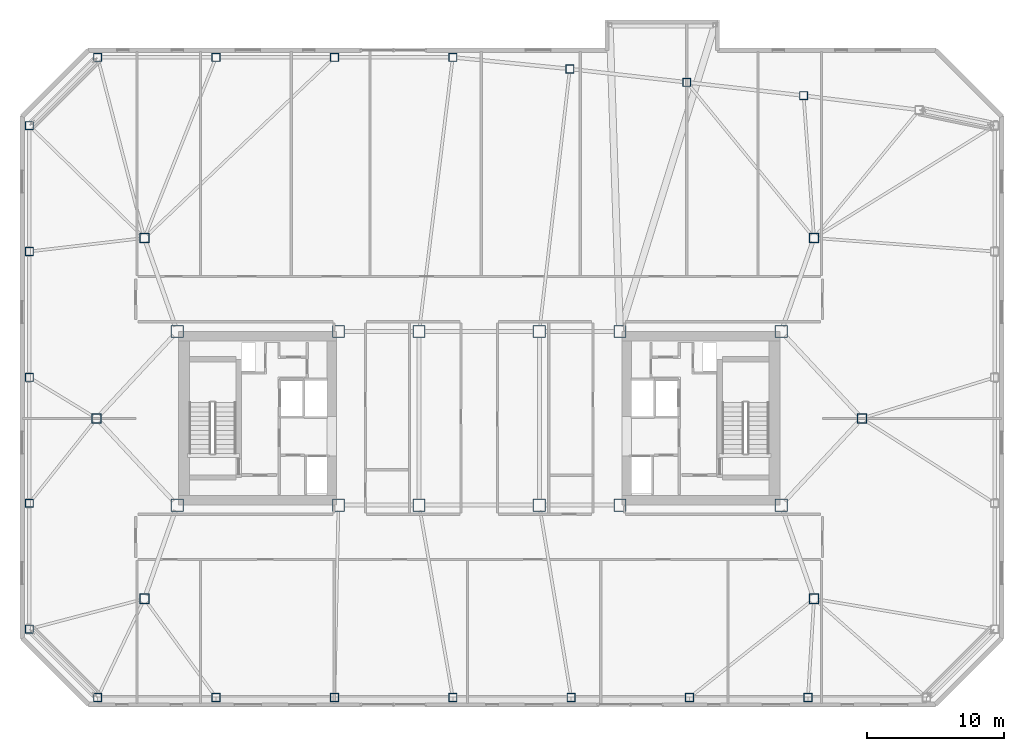
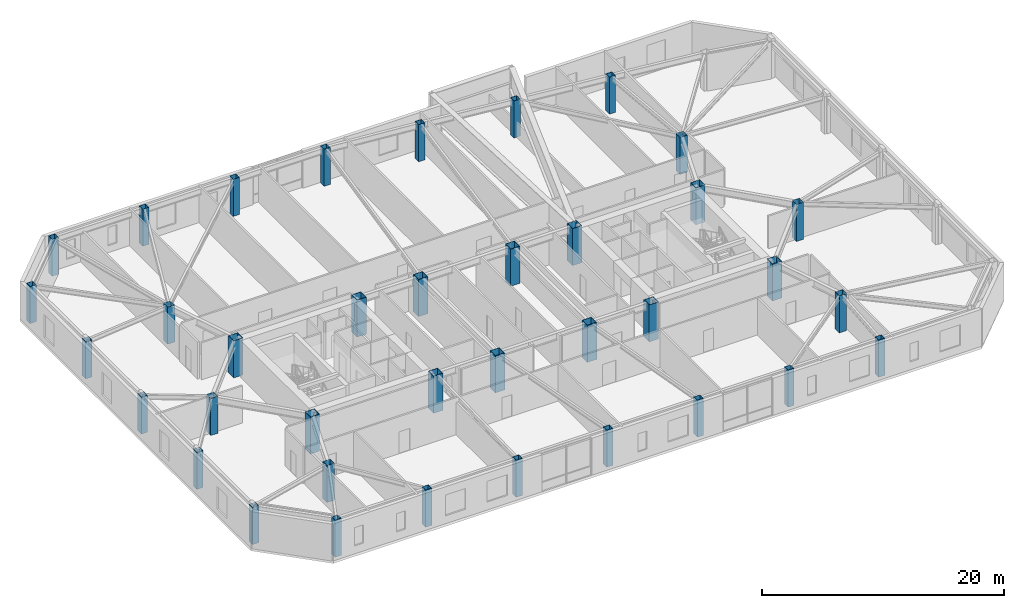
# One storey, part 1 of 18: 37 columns.
"""IFC4 building model written with IfcOpenShell, lengths in metres."""

from ifc_helpers import new_model, si_unit, direction, frame, origin, origin_2d, place, context, subcontext, project, spatial, hollow_rectangle, extrude, material, material_profile, profile_set, type_object, element, save


model = new_model("IFC4")

# Units and contexts
model_context = context("Model", 3, precision=1e-05, world=origin(), true_north=direction((0.0, 1.0)))
body_context = subcontext(model_context, "Body", "Model", "MODEL_VIEW")
ifc_project = project(units=[si_unit("LENGTHUNIT", "METRE"), si_unit("AREAUNIT", "SQUARE_METRE"), si_unit("VOLUMEUNIT", "CUBIC_METRE"), si_unit("PLANEANGLEUNIT", "RADIAN"), si_unit("MASSUNIT", "GRAM", prefix="KILO")], contexts=[model_context])

# Site, building, storey
site_placement = place(None, origin())
site = spatial("IfcSite", under=ifc_project, at=site_placement, CompositionType="ELEMENT")
building_placement = place(site_placement, origin())
building = spatial("IfcBuilding", under=site, at=building_placement, Name="Tavrogorsk Clinical Tower", CompositionType="ELEMENT")
storey_placement = place(building_placement, frame((0.0, 0.0, 180.199951171875)))
storey = spatial("IfcBuildingStorey", under=building, at=storey_placement, Name="L41", CompositionType="ELEMENT", Elevation=180.199951171875)

# Columns
ifc_material_1 = material(Name="Structural steel S440", Category="steel")
ifc_material_profile_1 = material_profile(ifc_material_1, hollow_rectangle(XDim=0.699951171875, YDim=0.699951171875, WallThickness=0.031982421875, at=origin_2d()), Name="BOX-700x700x32")
ifc_profile_set_1 = profile_set([ifc_material_profile_1], Name="Structural steel S440")
column_type_1 = type_object("IfcColumnType", Name="MegaCol_BOX700", PredefinedType="COLUMN", material=ifc_profile_set_1)
for number, where, z_axis, x_axis, name in (
    (1, (-24.5, -13.199951171875, 0.0), (0.0, 0.0, 1.0), (1.0, 0.0, 0.0), "L41 Spine Pilotis Column MC-P1"),
    (2, (24.5, -13.199951171875, 0.0), (0.0, 0.0, 1.0), (1.0, 0.0, 0.0), "L41 Spine Pilotis Column MC-P2"),
    (3, (-24.5, 13.199951171875, 0.0), (0.0, 0.0, 1.0), (1.0, 0.0, 0.0), "L41 Spine Pilotis Column MC-P3"),
    (4, (24.5, 13.199951171875, 0.0), (0.0, 0.0, 1.0), (1.0, 0.0, 0.0), "L41 Spine Pilotis Column MC-P4"),
    (5, (-28.0, 0.0, 0.0), (0.0, 0.0, 1.0), (1.0, 0.0, 0.0), "L41 Spine Pilotis Column MC-P5"),
    (6, (28.0, 0.0, 0.0), (0.0, 0.0, 1.0), (1.0, 0.0, 0.0), "L41 Spine Pilotis Column MC-P6"),
):
    element("IfcColumn", number, at=place(storey_placement, frame(where, z_axis=z_axis, x_axis=x_axis)), inside=storey, type_object=column_type_1, Name=name, PredefinedType="COLUMN", context=body_context, shape_type="SweptSolid", body=[
        extrude(hollow_rectangle(XDim=0.699951171875, YDim=0.699951171875, WallThickness=0.031982421875, at=origin_2d()), origin(), (0.0, 0.0, 1.0), 3.739990234375),
    ])
ifc_material_2 = material(Name="Structural steel S440", Category="steel")
ifc_material_profile_2 = material_profile(ifc_material_2, hollow_rectangle(XDim=0.89990234375, YDim=0.89990234375, WallThickness=0.0400390625, at=origin_2d()), Name="BOX-900x900x40")
ifc_profile_set_2 = profile_set([ifc_material_profile_2], Name="Structural steel S440")
column_type_2 = type_object("IfcColumnType", Name="MegaCol_BOX900", PredefinedType="COLUMN", material=ifc_profile_set_2)
for number, where, z_axis, x_axis, name in (
    (7, (-22.10009765625, -6.35009765625, 0.0), (0.0, 0.0, 1.0), (1.0, 0.0, 0.0), "L41 Mega Column MC-W1"),
    (8, (-22.10009765625, 6.35009765625, 0.0), (0.0, 0.0, 1.0), (1.0, 0.0, 0.0), "L41 Mega Column MC-W2"),
    (9, (-10.300048828125, -6.35009765625, 0.0), (0.0, 0.0, 1.0), (1.0, 0.0, 0.0), "L41 Mega Column MC-W3"),
    (10, (-10.300048828125, 6.35009765625, 0.0), (0.0, 0.0, 1.0), (1.0, 0.0, 0.0), "L41 Mega Column MC-W4"),
    (11, (10.300048828125, -6.35009765625, 0.0), (0.0, 0.0, 1.0), (1.0, 0.0, 0.0), "L41 Mega Column MC-E1"),
    (12, (10.300048828125, 6.35009765625, 0.0), (0.0, 0.0, 1.0), (1.0, 0.0, 0.0), "L41 Mega Column MC-E2"),
    (13, (22.10009765625, -6.35009765625, 0.0), (0.0, 0.0, 1.0), (1.0, 0.0, 0.0), "L41 Mega Column MC-E3"),
    (14, (22.10009765625, 6.35009765625, 0.0), (0.0, 0.0, 1.0), (1.0, 0.0, 0.0), "L41 Mega Column MC-E4"),
    (15, (-4.39990234375, -6.35009765625, 0.0), (0.0, 0.0, 1.0), (1.0, 0.0, 0.0), "L41 Mega Column MC-C1"),
    (16, (4.39990234375, -6.35009765625, 0.0), (0.0, 0.0, 1.0), (1.0, 0.0, 0.0), "L41 Mega Column MC-C2"),
    (17, (-4.39990234375, 6.35009765625, 0.0), (0.0, 0.0, 1.0), (1.0, 0.0, 0.0), "L41 Mega Column MC-C3"),
    (18, (4.39990234375, 6.35009765625, 0.0), (0.0, 0.0, 1.0), (1.0, 0.0, 0.0), "L41 Mega Column MC-C4"),
):
    element("IfcColumn", number, at=place(storey_placement, frame(where, z_axis=z_axis, x_axis=x_axis)), inside=storey, type_object=column_type_2, Name=name, PredefinedType="COLUMN", context=body_context, shape_type="SweptSolid", body=[
        extrude(hollow_rectangle(XDim=0.89990234375, YDim=0.89990234375, WallThickness=0.0400390625, at=origin_2d()), origin(), (0.0, 0.0, 1.0), 3.739990234375),
    ])
ifc_material_3 = material(Name="Structural steel S440", Category="steel")
ifc_material_profile_3 = material_profile(ifc_material_3, hollow_rectangle(XDim=0.60009765625, YDim=0.60009765625, WallThickness=0.028076171875, at=origin_2d()), Name="BOX-600x600x28")
ifc_profile_set_3 = profile_set([ifc_material_profile_3], Name="Structural steel S440")
column_type_3 = type_object("IfcColumnType", Name="PerimCol_B3_BOX600", PredefinedType="COLUMN", material=ifc_profile_set_3)
for number, where, z_axis, x_axis, name in (
    (19, (-27.919921875, -20.419921875, 0.0), (0.0, 0.0, 1.0), (1.0, 0.0, 0.0), "L41 Perimeter Column S1"),
    (20, (-19.257080078125, -20.419921875, 0.0), (0.0, 0.0, 1.0), (1.0, 0.0, 0.0), "L41 Perimeter Column S2"),
    (21, (-10.59423828125, -20.419921875, 0.0), (0.0, 0.0, 1.0), (1.0, 0.0, 0.0), "L41 Perimeter Column S3"),
    (22, (-1.931396484375, -20.419921875, 0.0), (0.0, 0.0, 1.0), (1.0, 0.0, 0.0), "L41 Perimeter Column S4"),
    (23, (6.7314453125, -20.419921875, 0.0), (0.0, 0.0, 1.0), (1.0, 0.0, 0.0), "L41 Perimeter Column S5"),
    (24, (15.394287109375, -20.419921875, 0.0), (0.0, 0.0, 1.0), (1.0, 0.0, 0.0), "L41 Perimeter Column S6"),
    (25, (24.05712890625, -20.419921875, 0.0), (0.0, 0.0, 1.0), (1.0, 0.0, 0.0), "L41 Perimeter Column S7"),
    (26, (23.73779296875, 23.617919921875, 0.0), (0.0, 0.0, 1.0), (1.0, 0.0, 0.0), "L41 Perimeter Column N2"),
    (27, (15.18603515625, 24.59228515625, 0.0), (0.0, 0.0, 1.0), (1.0, 0.0, 0.0), "L41 Perimeter Column N3"),
    (28, (6.63427734375, 25.566650390625, 0.0), (0.0, 0.0, 1.0), (1.0, 0.0, 0.0), "L41 Perimeter Column N4"),
    (29, (-1.931396484375, 26.419921875, 0.0), (0.0, 0.0, 1.0), (1.0, 0.0, 0.0), "L41 Perimeter Column N5"),
    (30, (-10.59423828125, 26.419921875, 0.0), (0.0, 0.0, 1.0), (1.0, 0.0, 0.0), "L41 Perimeter Column N6"),
    (31, (-19.257080078125, 26.419921875, 0.0), (0.0, 0.0, 1.0), (1.0, 0.0, 0.0), "L41 Perimeter Column N7"),
    (32, (-27.919921875, 26.419921875, 0.0), (0.0, 0.0, 1.0), (1.0, 0.0, 0.0), "L41 Perimeter Column N8"),
    (33, (-32.919921875, 21.419921875, 0.0), (0.0, 0.0, 1.0), (1.0, 0.0, 0.0), "L41 Perimeter Column W1"),
    (34, (-32.919921875, 12.2099609375, 0.0), (0.0, 0.0, 1.0), (1.0, 0.0, 0.0), "L41 Perimeter Column W2"),
    (35, (-32.919921875, 3.0, 0.0), (0.0, 0.0, 1.0), (1.0, 0.0, 0.0), "L41 Perimeter Column W3"),
    (36, (-32.919921875, -6.2099609375, 0.0), (0.0, 0.0, 1.0), (1.0, 0.0, 0.0), "L41 Perimeter Column W4"),
    (37, (-32.919921875, -15.419921875, 0.0), (0.0, 0.0, 1.0), (1.0, 0.0, 0.0), "L41 Perimeter Column W5"),
):
    element("IfcColumn", number, at=place(storey_placement, frame(where, z_axis=z_axis, x_axis=x_axis)), inside=storey, type_object=column_type_3, Name=name, PredefinedType="COLUMN", context=body_context, shape_type="SweptSolid", body=[
        extrude(hollow_rectangle(XDim=0.60009765625, YDim=0.60009765625, WallThickness=0.028076171875, at=origin_2d()), origin(), (0.0, 0.0, 1.0), 3.739990234375),
    ])

save(model, "model.ifc")
